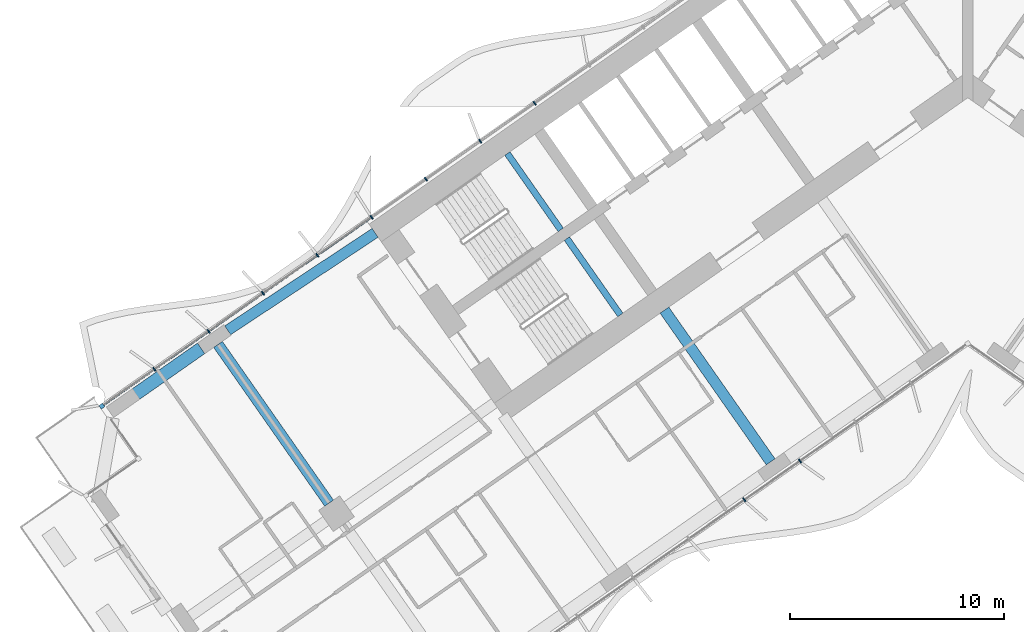
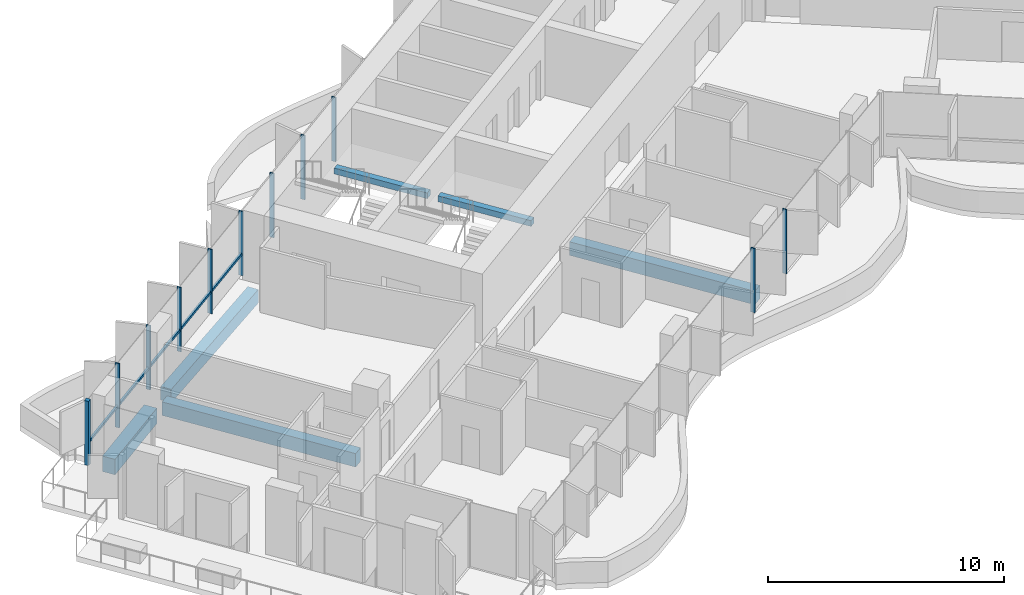
# One storey, part 4 of 25: 12 members, 6 beams, 3 elements without a shape of their own.
"""IFC4 building model written with IfcOpenShell, lengths in metres."""

from ifc_helpers import new_model, si_unit, direction, frame, origin, origin_2d, place, context, subcontext, project, spatial, rectangle, extrude, material, material_profile, profile_set, type_object, element, aggregate, save


model = new_model("IFC4")

# Units and contexts
model_context = context("Model", 3, precision=1e-05, world=origin(), true_north=direction((0.0, 1.0)))
body_context = subcontext(model_context, "Body", "Model", "MODEL_VIEW")
ifc_project = project(units=[si_unit("LENGTHUNIT", "METRE"), si_unit("AREAUNIT", "SQUARE_METRE"), si_unit("VOLUMEUNIT", "CUBIC_METRE"), si_unit("PLANEANGLEUNIT", "RADIAN"), si_unit("MASSUNIT", "GRAM", prefix="KILO")], contexts=[model_context])

# Site, building, storey
site_placement = place(None, origin())
site = spatial("IfcSite", under=ifc_project, at=site_placement, CompositionType="ELEMENT")
building_placement = place(site_placement, origin())
building = spatial("IfcBuilding", under=site, at=building_placement, Name="Tel Ilan Convention Tower", CompositionType="ELEMENT")
storey_placement = place(building_placement, frame((0.0, 0.0, 97.699951171875)))
storey = spatial("IfcBuildingStorey", under=building, at=storey_placement, Name="L20", CompositionType="ELEMENT", Elevation=97.699951171875)

# Beams
ifc_material_1 = material(Name="Concrete C40/50", Category="concrete")
ifc_material_profile_1 = material_profile(ifc_material_1, rectangle(XDim=0.5, YDim=0.699951171875, at=origin_2d()), Name="RC 500x700")
ifc_profile_set_1 = profile_set([ifc_material_profile_1], Name="Concrete C40/50")
beam_type_1 = type_object("IfcBeamType", Name="Beam RC 500x700 Concrete C40/50", PredefinedType="BEAM", material=ifc_profile_set_1)
beam_1_placement = place(storey_placement, frame((-34.570556640625, -12.08447265625, -0.6298828125), z_axis=(0.834273603487, 0.551350663847, 0.0), x_axis=(-0.551350663847, 0.834273603487, 0.0)))
element("IfcBeam", 1, at=beam_1_placement, inside=storey, type_object=beam_type_1, Name="L20 beam W-W-B4-core", PredefinedType="BEAM", context=body_context, shape_type="SweptSolid", body=[
    extrude(rectangle(XDim=0.5, YDim=0.699951171875, at=origin_2d()), origin(), (0.0, 0.0, 1.0), 8.2529296875),
])
beam_2_placement = place(storey_placement, frame((-9.209716796875, -18.229248046875, -0.6298828125), z_axis=(-0.573574099654, 0.819153680457, 0.0), x_axis=(-0.819153680457, -0.573574099654, 0.0)))
element("IfcBeam", 2, at=beam_2_placement, inside=storey, type_object=beam_type_1, Name="L20 beam W-W-F2-core", PredefinedType="BEAM", context=body_context, shape_type="SweptSolid", body=[
    extrude(rectangle(XDim=0.5, YDim=0.699951171875, at=origin_2d()), origin(), (0.0, 0.0, 1.0), 8.64990234375),
])
beam_3_placement = place(storey_placement, frame((-29.83349609375, -20.1572265625, -0.6298828125), z_axis=(-0.57358002233, 0.819149533348, 0.0), x_axis=(-0.819149533348, -0.57358002233, 0.0)))
element("IfcBeam", 3, at=beam_3_placement, inside=storey, type_object=beam_type_1, Name="L20 beam W-W-M4-W-B4", PredefinedType="BEAM", context=body_context, shape_type="SweptSolid", body=[
    extrude(rectangle(XDim=0.5, YDim=0.699951171875, at=origin_2d()), origin(), (0.0, 0.0, 1.0), 9.050048828125),
])
ifc_material_2 = material(Name="Concrete C40/50", Category="concrete")
ifc_material_profile_2 = material_profile(ifc_material_2, rectangle(XDim=0.60009765625, YDim=0.800048828125, at=origin_2d()), Name="RC 600x800")
ifc_profile_set_2 = profile_set([ifc_material_profile_2], Name="Concrete C40/50")
beam_type_2 = type_object("IfcBeamType", Name="Beam RC 600x800 Concrete C40/50", PredefinedType="BEAM", material=ifc_profile_set_2)
beam_4_placement = place(storey_placement, frame((-39.2431640625, -15.331787109375, -0.679931640625), z_axis=(0.819158006169, 0.57356792181, 0.0), x_axis=(-0.57356792181, 0.819158006169, 0.0)))
element("IfcBeam", 4, at=beam_4_placement, inside=storey, type_object=beam_type_2, Name="L20 beam W-W-BC-W-B4", PredefinedType="BEAM", context=body_context, shape_type="SweptSolid", body=[
    extrude(rectangle(XDim=0.60009765625, YDim=0.800048828125, at=origin_2d()), origin(), (0.0, 0.0, 1.0), 4.190185546875),
])

# Curtain wall, member
ifc_material_3 = material(Name="Aluminium, bronze anodised", Category="aluminium")
curtain_wall_type_1 = type_object("IfcCurtainWallType", Name="CW1 UNITISED CURTAIN WALL, HOTEL TINTED GLASS", PredefinedType="NOTDEFINED", material=ifc_material_3)
curtain_wall_1_placement = place(storey_placement, origin())
curtain_wall_1 = element("IfcCurtainWall", 5, at=curtain_wall_1_placement, inside=storey, type_object=curtain_wall_type_1, Name="Curtain wall CW1-18.02", PredefinedType="NOTDEFINED")
ifc_material_4 = material(Name="Aluminium, bronze anodised", Category="aluminium")
ifc_material_profile_3 = material_profile(ifc_material_4, rectangle(XDim=0.199951171875, YDim=0.199951171875, at=origin_2d()), Name="CW CORNER MULLION 200x200")
ifc_profile_set_3 = profile_set([ifc_material_profile_3], Name="Aluminium, bronze anodised")
member_type_1 = type_object("IfcMemberType", Name="CW CORNER MULLION 200x200", PredefinedType="MULLION", material=ifc_profile_set_3)
member_1_placement = place(storey_placement, frame((-40.451416015625, -15.62841796875, 0.0), z_axis=(0.0, 0.0, 1.0), x_axis=(-0.819152044289, -0.573576436351, 0.0)))
member_1 = element("IfcMember", 6, at=member_1_placement, type_object=member_type_1, Name="Corner mullion", PredefinedType="MULLION", context=body_context, shape_type="SweptSolid", body=[
    extrude(rectangle(XDim=0.199951171875, YDim=0.199951171875, at=origin_2d()), origin(), (0.0, 0.0, 1.0), 3.320068359375),
])

# Curtain wall, members
ifc_material_5 = material(Name="Aluminium, bronze anodised", Category="aluminium")
curtain_wall_type_2 = type_object("IfcCurtainWallType", Name="CW2 STICK CURTAIN WALL, SPANDREL PANELS", PredefinedType="NOTDEFINED", material=ifc_material_5)
curtain_wall_2_placement = place(storey_placement, origin())
curtain_wall_2 = element("IfcCurtainWall", 7, at=curtain_wall_2_placement, inside=storey, type_object=curtain_wall_type_2, Name="Curtain wall CW2-18.01", PredefinedType="NOTDEFINED")
ifc_material_6 = material(Name="Aluminium, bronze anodised", Category="aluminium")
ifc_material_profile_4 = material_profile(ifc_material_6, rectangle(XDim=0.06005859375, YDim=0.199951171875, at=origin_2d()), Name="CW MULLION 60x200")
ifc_profile_set_4 = profile_set([ifc_material_profile_4], Name="Aluminium, bronze anodised")
member_type_2 = type_object("IfcMemberType", Name="CW MULLION 60x200", PredefinedType="MULLION", material=ifc_profile_set_4)
member_2_placement = place(storey_placement, frame((-20.238037109375, -1.474853515625, 0.0), z_axis=(0.0, 0.0, 1.0), x_axis=(-0.819152044289, -0.573576436351, 0.0)))
member_2 = element("IfcMember", 8, at=member_2_placement, type_object=member_type_2, Name="Mullion", PredefinedType="MULLION", context=body_context, shape_type="SweptSolid", body=[
    extrude(rectangle(XDim=0.06005859375, YDim=0.199951171875, at=origin_2d()), origin(), (0.0, 0.0, 1.0), 3.320068359375),
])
member_3_placement = place(storey_placement, frame((-22.77490234375, -3.251220703125, 0.0), z_axis=(0.0, 0.0, 1.0), x_axis=(-0.819152044289, -0.573576436351, 0.0)))
member_3 = element("IfcMember", 9, at=member_3_placement, type_object=member_type_2, Name="Mullion", PredefinedType="MULLION", context=body_context, shape_type="SweptSolid", body=[
    extrude(rectangle(XDim=0.06005859375, YDim=0.199951171875, at=origin_2d()), origin(), (0.0, 0.0, 1.0), 3.320068359375),
])
member_4_placement = place(storey_placement, frame((-25.311767578125, -5.027587890625, 0.0), z_axis=(0.0, 0.0, 1.0), x_axis=(-0.819152044289, -0.573576436351, 0.0)))
member_4 = element("IfcMember", 10, at=member_4_placement, type_object=member_type_2, Name="Mullion", PredefinedType="MULLION", context=body_context, shape_type="SweptSolid", body=[
    extrude(rectangle(XDim=0.06005859375, YDim=0.199951171875, at=origin_2d()), origin(), (0.0, 0.0, 1.0), 3.320068359375),
])
member_5_placement = place(storey_placement, frame((-27.848876953125, -6.803955078125, 0.0), z_axis=(0.0, 0.0, 1.0), x_axis=(-0.819152044289, -0.573576436351, 0.0)))
member_5 = element("IfcMember", 11, at=member_5_placement, type_object=member_type_2, Name="Mullion", PredefinedType="MULLION", context=body_context, shape_type="SweptSolid", body=[
    extrude(rectangle(XDim=0.06005859375, YDim=0.199951171875, at=origin_2d()), origin(), (0.0, 0.0, 1.0), 3.320068359375),
])
aggregate(curtain_wall_2, [member_2, member_3, member_4, member_5])

# Member
member_6_placement = place(storey_placement, frame((-30.3857421875, -8.580322265625, 0.0), z_axis=(0.0, 0.0, 1.0), x_axis=(-0.819152044289, -0.573576436351, 0.0)))
member_6 = element("IfcMember", 12, at=member_6_placement, type_object=member_type_2, Name="Mullion", PredefinedType="MULLION", context=body_context, shape_type="SweptSolid", body=[
    extrude(rectangle(XDim=0.06005859375, YDim=0.199951171875, at=origin_2d()), origin(), (0.0, 0.0, 1.0), 3.320068359375),
])

member_7_placement = place(storey_placement, frame((-32.922607421875, -10.356689453125, 0.0), z_axis=(0.0, 0.0, 1.0), x_axis=(-0.819152044289, -0.573576436351, 0.0)))
member_7 = element("IfcMember", 13, at=member_7_placement, type_object=member_type_2, Name="Mullion", PredefinedType="MULLION", context=body_context, shape_type="SweptSolid", body=[
    extrude(rectangle(XDim=0.06005859375, YDim=0.199951171875, at=origin_2d()), origin(), (0.0, 0.0, 1.0), 3.320068359375),
])

member_8_placement = place(storey_placement, frame((-35.45947265625, -12.133056640625, 0.0), z_axis=(0.0, 0.0, 1.0), x_axis=(-0.819152044289, -0.573576436351, 0.0)))
member_8 = element("IfcMember", 14, at=member_8_placement, type_object=member_type_2, Name="Mullion", PredefinedType="MULLION", context=body_context, shape_type="SweptSolid", body=[
    extrude(rectangle(XDim=0.06005859375, YDim=0.199951171875, at=origin_2d()), origin(), (0.0, 0.0, 1.0), 3.320068359375),
])

member_9_placement = place(storey_placement, frame((-37.99658203125, -13.909423828125, 0.0), z_axis=(0.0, 0.0, 1.0), x_axis=(-0.819152044289, -0.573576436351, 0.0)))
member_9 = element("IfcMember", 15, at=member_9_placement, type_object=member_type_2, Name="Mullion", PredefinedType="MULLION", context=body_context, shape_type="SweptSolid", body=[
    extrude(rectangle(XDim=0.06005859375, YDim=0.199951171875, at=origin_2d()), origin(), (0.0, 0.0, 1.0), 3.320068359375),
])

# Curtain wall, members
curtain_wall_3_placement = place(storey_placement, origin())
curtain_wall_3 = element("IfcCurtainWall", 16, at=curtain_wall_3_placement, inside=storey, type_object=curtain_wall_type_1, Name="Curtain wall CW1-18.06", PredefinedType="NOTDEFINED")
member_10_placement = place(storey_placement, frame((-10.4375, -20.004638671875, 0.0), z_axis=(0.0, 0.0, 1.0), x_axis=(0.819152044289, 0.573576436351, 0.0)))
member_10 = element("IfcMember", 17, at=member_10_placement, type_object=member_type_2, Name="Mullion", PredefinedType="MULLION", context=body_context, shape_type="SweptSolid", body=[
    extrude(rectangle(XDim=0.06005859375, YDim=0.199951171875, at=origin_2d()), origin(), (0.0, 0.0, 1.0), 3.320068359375),
])
member_11_placement = place(storey_placement, frame((-7.842529296875, -18.1875, 0.0), z_axis=(0.0, 0.0, 1.0), x_axis=(0.819152044289, 0.573576436351, 0.0)))
member_11 = element("IfcMember", 18, at=member_11_placement, type_object=member_type_2, Name="Mullion", PredefinedType="MULLION", context=body_context, shape_type="SweptSolid", body=[
    extrude(rectangle(XDim=0.06005859375, YDim=0.199951171875, at=origin_2d()), origin(), (0.0, 0.0, 1.0), 3.320068359375),
])
aggregate(curtain_wall_3, [member_10, member_11])

# Member
ifc_material_7 = material(Name="Aluminium, bronze anodised", Category="aluminium")
ifc_material_profile_5 = material_profile(ifc_material_7, rectangle(XDim=0.10009765625, YDim=0.1201171875, at=origin_2d()), Name="CW TRANSOM 100x120")
ifc_profile_set_5 = profile_set([ifc_material_profile_5], Name="Aluminium, bronze anodised")
member_type_3 = type_object("IfcMemberType", Name="CW TRANSOM 100x120", PredefinedType="USERDEFINED", material=ifc_profile_set_5)
member_12_placement = place(storey_placement, frame((-27.873291015625, -6.821044921875, 1.10009765625), z_axis=(-0.819152967985, -0.573575117174, 0.0), x_axis=(0.573575117174, -0.819152967985, 0.0)))
member_12 = element("IfcMember", 19, at=member_12_placement, type_object=member_type_3, Name="Transom", ObjectType="TRANSOM", PredefinedType="USERDEFINED", context=body_context, shape_type="SweptSolid", body=[
    extrude(rectangle(XDim=0.10009765625, YDim=0.1201171875, at=origin_2d()), origin(), (0.0, 0.0, 1.0), 15.255126953125),
])

aggregate(curtain_wall_1, [member_6, member_7, member_8, member_9, member_1, member_12])

# Beams
ifc_material_8 = material(Name="Concrete C40/50", Category="concrete")
ifc_material_profile_6 = material_profile(ifc_material_8, rectangle(XDim=0.300048828125, YDim=0.300048828125, at=origin_2d()), Name="RC 300x300")
ifc_profile_set_6 = profile_set([ifc_material_profile_6], Name="Concrete C40/50")
beam_type_3 = type_object("IfcBeamType", Name="Landing Beam RC 300x300 Concrete C40/50", PredefinedType="BEAM", material=ifc_profile_set_6)
beam_5_placement = place(storey_placement, frame((-19.013671875, -7.392822265625, 1.449951171875), z_axis=(-0.57356780395, 0.819158088694, 0.0), x_axis=(-0.819158088694, -0.57356780395, 0.0)))
element("IfcBeam", 20, at=beam_5_placement, inside=storey, type_object=beam_type_3, Name="S1 landing beam L20.1", PredefinedType="BEAM", context=body_context, shape_type="SweptSolid", body=[
    extrude(rectangle(XDim=0.300048828125, YDim=0.300048828125, at=origin_2d()), origin(), (0.0, 0.0, 1.0), 4.35009765625),
])
beam_6_placement = place(storey_placement, frame((-16.231689453125, -11.365478515625, 1.449951171875), z_axis=(-0.573594173421, 0.819139624372, 0.0), x_axis=(-0.819139624372, -0.573594173421, 0.0)))
element("IfcBeam", 21, at=beam_6_placement, inside=storey, type_object=beam_type_3, Name="S2 landing beam L20.1", PredefinedType="BEAM", context=body_context, shape_type="SweptSolid", body=[
    extrude(rectangle(XDim=0.300048828125, YDim=0.300048828125, at=origin_2d()), origin(), (0.0, 0.0, 1.0), 4.349853515625),
])

save(model, "model.ifc")
